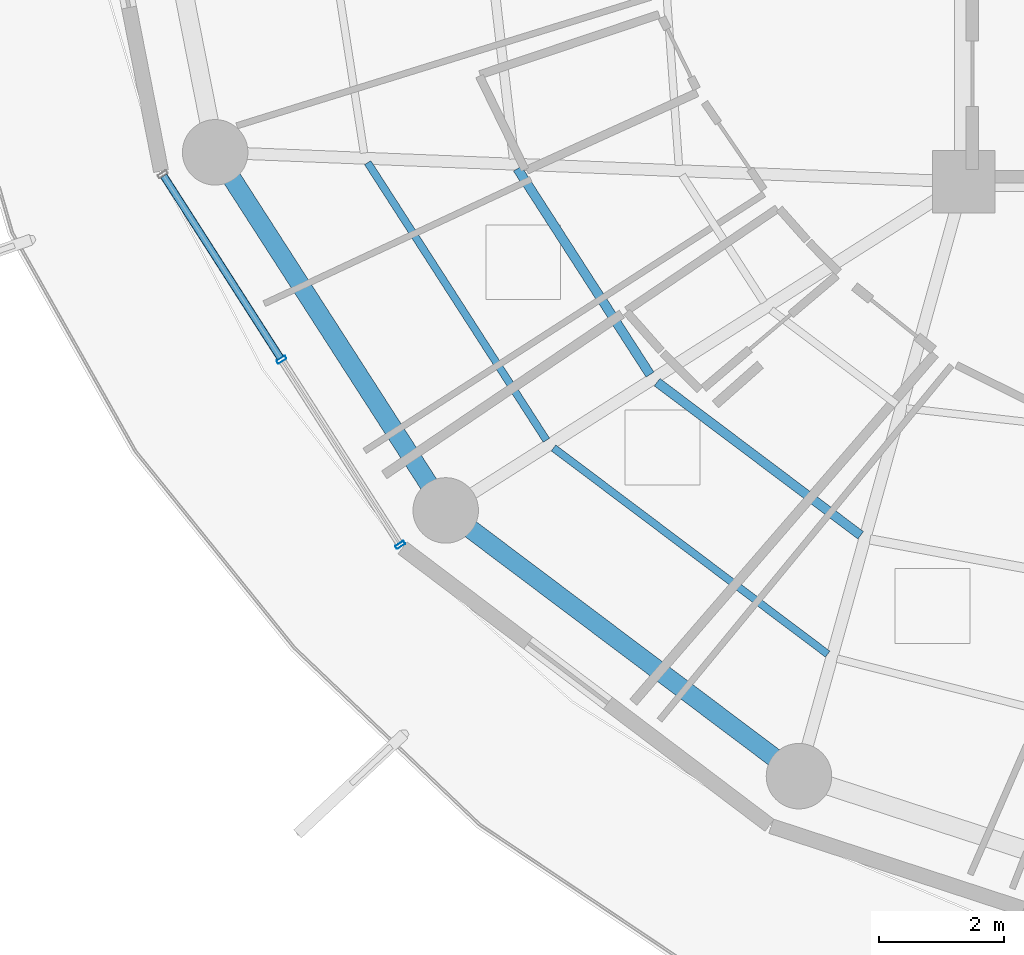
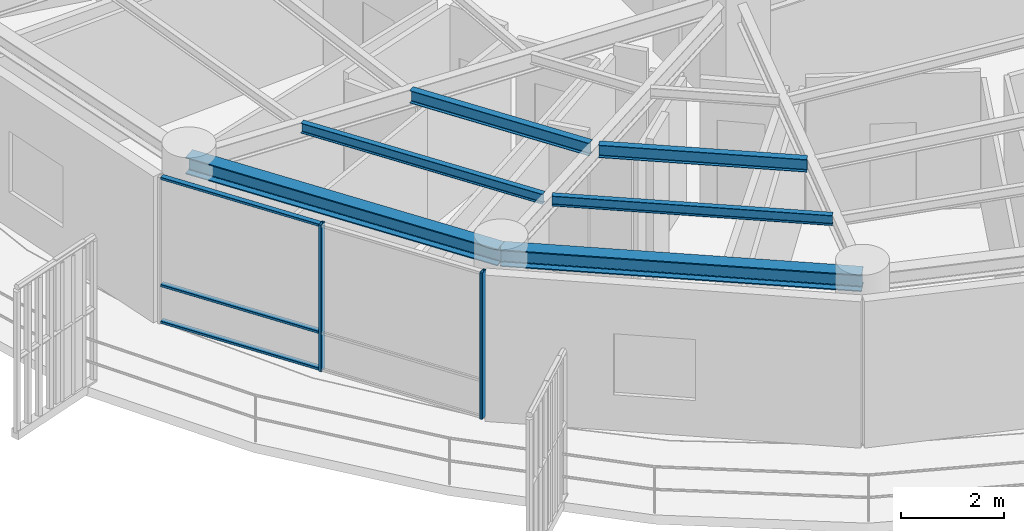
# One storey, part 2 of 30: 6 beams, 5 members, 1 element without a shape of its own.
"""IFC4 building model written with IfcOpenShell, lengths in metres."""

import ifcopenshell
import ifcopenshell.guid

model = None  # the IFC model being written
_history = None  # IfcOwnerHistory: only IFC2X3 demands one
_inside = {}  # id of a spatial element -> (the spatial element, [elements in it])
_under = {}  # id of a project, library or spatial element -> (it, [spatial elements below it])
_declared = {}  # id of a project -> (the project, [libraries it declares])
_typed = {}  # id of a type object -> (the type object, [elements of that type])
_made_of = {}  # id of a material, layer set ... -> (it, [elements and type objects made of it])


def new_model(schema):
    """Start an empty IFC model of exactly this schema.

    Asked for "IFC4X3", IfcOpenShell would pick the latest addendum, in which some entities
    have other attributes; the version numbers below select the first issue.
    IFC2X3 requires an IfcOwnerHistory on every rooted entity: one is made here for all.
    """
    global model, _history
    if schema == "IFC4X3":
        model = ifcopenshell.file(schema_version=(4, 3, 0, 0))
    else:
        model = ifcopenshell.file(schema=schema)
    _inside.clear()
    _under.clear()
    _declared.clear()
    _typed.clear()
    _made_of.clear()
    _history = None
    if model.schema == "IFC2X3":
        org = make("IfcOrganization", Name="unknown")
        user = make(
            "IfcPersonAndOrganization",
            ThePerson=make("IfcPerson", FamilyName="unknown"),
            TheOrganization=org,
        )
        app = make(
            "IfcApplication",
            ApplicationDeveloper=org,
            Version="unknown",
            ApplicationFullName="unknown",
            ApplicationIdentifier="unknown",
        )
        _history = make(
            "IfcOwnerHistory",
            OwningUser=user,
            OwningApplication=app,
            ChangeAction="ADDED",
            CreationDate=0,
        )
    return model


def make(cls, **values):
    """One entity of the class cls with the attributes given. An attribute that is None is left unset."""
    return model.create_entity(
        cls, **{name: value for name, value in values.items() if value is not None}
    )


def rooted(cls, **values):
    """An entity with a GlobalId (a new one), such as an element, a storey or a relation."""
    return make(cls, GlobalId=ifcopenshell.guid.new(), OwnerHistory=_history, **values)


def si_unit(unit_type, name, prefix=None):
    """IfcSIUnit, for example si_unit("LENGTHUNIT", "METRE", prefix="MILLI")."""
    return make("IfcSIUnit", UnitType=unit_type, Prefix=prefix, Name=name)


def assignment(units):
    """IfcUnitAssignment: the units of a project."""
    return None if units is None else make("IfcUnitAssignment", Units=units)


def point(xyz):
    """IfcCartesianPoint."""
    return None if xyz is None else make("IfcCartesianPoint", Coordinates=xyz)


def direction(xyz):
    """IfcDirection."""
    return None if xyz is None else make("IfcDirection", DirectionRatios=xyz)


def frame(location, z_axis=None, x_axis=None):
    """IfcAxis2Placement3D, a coordinate frame: its origin and axes. An axis left out is left unset."""
    return make(
        "IfcAxis2Placement3D",
        Location=point(location),
        Axis=direction(z_axis),
        RefDirection=direction(x_axis),
    )


def frame_2d(location, x_axis=None):
    """IfcAxis2Placement2D, a coordinate frame in the plane: its origin and x axis."""
    return make(
        "IfcAxis2Placement2D", Location=point(location), RefDirection=direction(x_axis)
    )


def origin():
    """The frame at (0, 0, 0) with its axes left unset."""
    return frame((0.0, 0.0, 0.0))


def origin_2d():
    """The frame at (0, 0) in the plane with its x axis left unset."""
    return frame_2d((0.0, 0.0))


def place(relative_to, where):
    """IfcLocalPlacement: puts the frame where relative to a parent placement (None: the world)."""
    return make(
        "IfcLocalPlacement", PlacementRelTo=relative_to, RelativePlacement=where
    )


def context(
    kind, dimensions, precision=None, world=None, true_north=None, identifier=None
):
    """IfcGeometricRepresentationContext, for example the 3D "Model" context."""
    return make(
        "IfcGeometricRepresentationContext",
        ContextIdentifier=identifier,
        ContextType=kind,
        CoordinateSpaceDimension=dimensions,
        Precision=precision,
        WorldCoordinateSystem=world,
        TrueNorth=true_north,
    )


def subcontext(parent, identifier, kind, view, scale=None):
    """IfcGeometricRepresentationSubContext, for example "Body" below "Model"."""
    return make(
        "IfcGeometricRepresentationSubContext",
        ContextIdentifier=identifier,
        ContextType=kind,
        ParentContext=parent,
        TargetScale=scale,
        TargetView=view,
    )


def project(units=None, contexts=None):
    """IfcProject with its units and contexts."""
    return rooted(
        "IfcProject",
        Name="project",
        RepresentationContexts=contexts,
        UnitsInContext=assignment(units),
    )


def spatial(cls, under=None, at=None, **own):
    """A site, building, storey or space (cls), placed at a placement, below another one or the project."""
    s = rooted(cls, ObjectPlacement=at, **own)
    if under is not None:
        _under.setdefault(under.id(), (under, []))[1].append(s)
    return s


def profile(cls, at=None, kind="AREA", **sizes):
    """A parametric profile (cls). Its sizes go by their IFC names, for example OverallWidth=200.0."""
    return make(cls, ProfileType=kind, Position=at, **sizes)


def hollow_rectangle(**sizes):
    """IfcRectangleHollowProfileDef."""
    return profile("IfcRectangleHollowProfileDef", **sizes)


def i_section(**sizes):
    """IfcIShapeProfileDef."""
    return profile("IfcIShapeProfileDef", **sizes)


def extrude(swept, where, along, depth):
    """IfcExtrudedAreaSolid: the profile swept, set in the frame where, extruded along a direction by depth."""
    return make(
        "IfcExtrudedAreaSolid",
        SweptArea=swept,
        Position=where,
        ExtrudedDirection=direction(along),
        Depth=depth,
    )


def shape(context_of_items, identifier, shape_type, items):
    """IfcShapeRepresentation: the items that make up one representation, for example the "Body"."""
    return make(
        "IfcShapeRepresentation",
        ContextOfItems=context_of_items,
        RepresentationIdentifier=identifier,
        RepresentationType=shape_type,
        Items=items,
    )


def material(Name=None, Category=None):
    """IfcMaterial."""
    return make("IfcMaterial", Name=Name, Category=Category)


def layer(
    of_material, thickness, ventilated=None, Name=None, Category=None, Priority=None
):
    """IfcMaterialLayer: one layer of a wall or slab, of a material (None: an air gap)."""
    return make(
        "IfcMaterialLayer",
        Material=of_material,
        LayerThickness=thickness,
        IsVentilated=ventilated,
        Name=Name,
        Category=Category,
        Priority=Priority,
    )


def layer_set(layers, Name=None):
    """IfcMaterialLayerSet."""
    return make("IfcMaterialLayerSet", MaterialLayers=layers, LayerSetName=Name)


def material_profile(
    of_material, cross_section, Name=None, Category=None, Priority=None
):
    """IfcMaterialProfile: a cross section and its material."""
    return make(
        "IfcMaterialProfile",
        Name=Name,
        Material=of_material,
        Profile=cross_section,
        Priority=Priority,
        Category=Category,
    )


def profile_set(profiles, Name=None, composite=None):
    """IfcMaterialProfileSet."""
    return make(
        "IfcMaterialProfileSet",
        Name=Name,
        MaterialProfiles=profiles,
        CompositeProfile=composite,
    )


def made_of(thing, what):
    """Note that an element or type object is made of a material, layer set ...; save() writes the relation."""
    if what is not None:
        _made_of.setdefault(what.id(), (what, []))[1].append(thing)
    return thing


def type_object(cls, material=None, **own):
    """A type object (cls), such as IfcWallType, which elements share."""
    return made_of(rooted(cls, **own), material)


def element(
    cls,
    number,
    at=None,
    inside=None,
    cuts=None,
    type_object=None,
    material=None,
    context=None,
    identifier="Body",
    shape_type=None,
    held_by="IfcProductDefinitionShape",
    body=None,
    shapes=None,
    **own,
):
    """One element of the class cls, such as IfcWall. Its Tag is "e" and its number.

    at: its placement. inside: the storey or other place that contains it. cuts: it is an
    opening in that element (IfcRelVoidsElement). A single representation is given by context,
    identifier, shape_type and body (its items); several are given by shapes. held_by: the class
    of the entity that holds the representations. save() writes the other relations.
    """
    e = rooted(cls, Tag="e%d" % number, ObjectPlacement=at, **own)
    if body is not None:
        shapes = [shape(context, identifier, shape_type, body)]
    if shapes is not None:
        e.Representation = make(held_by, Representations=shapes)
    if inside is not None:
        _inside.setdefault(inside.id(), (inside, []))[1].append(e)
    if cuts is not None:
        rooted(
            "IfcRelVoidsElement", RelatingBuildingElement=cuts, RelatedOpeningElement=e
        )
    if type_object is not None:
        _typed.setdefault(type_object.id(), (type_object, []))[1].append(e)
    return made_of(e, material)


def aggregate(whole, parts):
    """IfcRelAggregates: a whole, such as a stair, and the parts it consists of."""
    return rooted("IfcRelAggregates", RelatingObject=whole, RelatedObjects=parts)


def save(model, path):
    """Write the relations noted so far, then the file.

    IfcRelAggregates (storeys below a building ...), IfcRelContainedInSpatialStructure (elements
    in a storey), IfcRelDefinesByType, IfcRelAssociatesMaterial and IfcRelDeclares: one each for
    every whole, place, type object, material and project.
    """
    for whole, parts in _under.values():
        aggregate(whole, parts)
    for where, things in _inside.values():
        rooted(
            "IfcRelContainedInSpatialStructure",
            RelatedElements=things,
            RelatingStructure=where,
        )
    for kind, things in _typed.values():
        rooted("IfcRelDefinesByType", RelatedObjects=things, RelatingType=kind)
    for what, things in _made_of.values():
        rooted("IfcRelAssociatesMaterial", RelatedObjects=things, RelatingMaterial=what)
    for by, libraries in _declared.values():
        rooted("IfcRelDeclares", RelatingContext=by, RelatedDefinitions=libraries)
    model.write(path)


model = new_model("IFC4")

# Units and contexts
model_context = context("Model", 3, precision=1e-05, world=origin(), true_north=direction((0.0, 1.0)))
body_context = subcontext(model_context, "Body", "Model", "MODEL_VIEW")
ifc_project = project(units=[si_unit("LENGTHUNIT", "METRE"), si_unit("AREAUNIT", "SQUARE_METRE"), si_unit("VOLUMEUNIT", "CUBIC_METRE"), si_unit("PLANEANGLEUNIT", "RADIAN"), si_unit("MASSUNIT", "GRAM", prefix="KILO")], contexts=[model_context])

# Site, building, storey
site_placement = place(None, origin())
site = spatial("IfcSite", under=ifc_project, at=site_placement, CompositionType="ELEMENT")
building_placement = place(site_placement, origin())
building = spatial("IfcBuilding", under=site, at=building_placement, Name="Kelanora Arch Commons", CompositionType="ELEMENT")
storey_placement = place(building_placement, frame((0.0, 0.0, 234.449951171875)))
storey = spatial("IfcBuildingStorey", under=building, at=storey_placement, Name="L60", CompositionType="ELEMENT", Elevation=234.449951171875)

# Beams
ifc_material_1 = material(Name="Steel S355", Category="steel")
ifc_material_profile_1 = material_profile(ifc_material_1, i_section(OverallWidth=0.14990234375, OverallDepth=0.300048828125, WebThickness=0.007080078125, FlangeThickness=0.0107421875, FilletRadius=0.014892578125, at=origin_2d()), Name="IPE300")
ifc_profile_set_1 = profile_set([ifc_material_profile_1], Name="Steel S355")
beam_type_1 = type_object("IfcBeamType", Name="BM-JST-01", PredefinedType="JOIST", material=ifc_profile_set_1)
beam_1_placement = place(storey_placement, frame((58.847900390625, 51.213134765625, 3.340087890625), z_axis=(0.541411265892, -0.840757896879, 0.0), x_axis=(0.840757896879, 0.541411265892, 0.0)))
element("IfcBeam", 1, at=beam_1_placement, inside=storey, type_object=beam_type_1, Name="Secondary Chord Joist BJB-20 L60", PredefinedType="JOIST", context=body_context, shape_type="SweptSolid", body=[
    extrude(i_section(OverallWidth=0.14990234375, OverallDepth=0.300048828125, WebThickness=0.007080078125, FlangeThickness=0.0107421875, FilletRadius=0.014892578125, at=origin_2d()), origin(), (0.0, 0.0, 1.0), 3.92529296875),
])
beam_2_placement = place(storey_placement, frame((61.087158203125, 47.790283203125, 3.340087890625), z_axis=(0.799101708656, -0.601195857624, 0.0), x_axis=(0.601195857624, 0.799101708656, 0.0)))
element("IfcBeam", 2, at=beam_2_placement, inside=storey, type_object=beam_type_1, Name="Secondary Chord Joist BJB-22 L60", PredefinedType="JOIST", context=body_context, shape_type="SweptSolid", body=[
    extrude(i_section(OverallWidth=0.14990234375, OverallDepth=0.300048828125, WebThickness=0.007080078125, FlangeThickness=0.0107421875, FilletRadius=0.014892578125, at=origin_2d()), origin(), (0.0, 0.0, 1.0), 4.080810546875),
])
ifc_material_profile_2 = material_profile(ifc_material_1, i_section(OverallWidth=0.1201171875, OverallDepth=0.239990234375, WebThickness=0.006103515625, FlangeThickness=0.009765625, FilletRadius=0.014892578125, at=origin_2d()), Name="IPE240")
ifc_profile_set_2 = profile_set([ifc_material_profile_2], Name="Steel S355")
beam_type_2 = type_object("IfcBeamType", Name="BM-JST-02", PredefinedType="JOIST", material=ifc_profile_set_2)
beam_3_placement = place(storey_placement, frame((56.44873046875, 51.30810546875, 3.3701171875), z_axis=(0.541382492679, -0.840776424872, 0.0), x_axis=(0.840776424872, 0.541382492679, 0.0)))
element("IfcBeam", 3, at=beam_3_placement, inside=storey, type_object=beam_type_2, Name="Secondary Chord Joist BJC-20 L60", PredefinedType="JOIST", context=body_context, shape_type="SweptSolid", body=[
    extrude(i_section(OverallWidth=0.1201171875, OverallDepth=0.239990234375, WebThickness=0.006103515625, FlangeThickness=0.009765625, FilletRadius=0.014892578125, at=origin_2d()), origin(), (0.0, 0.0, 1.0), 5.29052734375),
])
beam_4_placement = place(storey_placement, frame((59.4267578125, 46.7373046875, 3.3701171875), z_axis=(0.799109197935, -0.601185902842, 0.0), x_axis=(0.601185902842, 0.799109197935, 0.0)))
element("IfcBeam", 4, at=beam_4_placement, inside=storey, type_object=beam_type_2, Name="Secondary Chord Joist BJC-22 L60", PredefinedType="JOIST", context=body_context, shape_type="SweptSolid", body=[
    extrude(i_section(OverallWidth=0.1201171875, OverallDepth=0.239990234375, WebThickness=0.006103515625, FlangeThickness=0.009765625, FilletRadius=0.014892578125, at=origin_2d()), origin(), (0.0, 0.0, 1.0), 5.497802734375),
])
ifc_material_profile_3 = material_profile(ifc_material_1, i_section(OverallWidth=0.300048828125, OverallDepth=0.39990234375, WebThickness=0.013427734375, FlangeThickness=0.02392578125, FilletRadius=0.027099609375, at=origin_2d()), Name="HEB400")
ifc_profile_set_3 = profile_set([ifc_material_profile_3], Name="Steel S355")
beam_type_3 = type_object("IfcBeamType", Name="BM-SPN-Z4", PredefinedType="SPANDREL", material=ifc_profile_set_3)
beam_5_placement = place(storey_placement, frame((54.00341796875, 51.474365234375, 3.2900390625), z_axis=(0.541364878868, -0.840787766281, 0.0), x_axis=(0.840787766281, 0.541364878868, 0.0)))
element("IfcBeam", 5, at=beam_5_placement, inside=storey, type_object=beam_type_3, Name="Perimeter Spandrel Beam BS-20 L60", PredefinedType="SPANDREL", context=body_context, shape_type="SweptSolid", body=[
    extrude(i_section(OverallWidth=0.300048828125, OverallDepth=0.39990234375, WebThickness=0.013427734375, FlangeThickness=0.02392578125, FilletRadius=0.027099609375, at=origin_2d()), origin(), (0.0, 0.0, 1.0), 6.825439453125),
])
beam_6_placement = place(storey_placement, frame((57.698486328125, 45.735595703125, 3.2900390625), z_axis=(0.799114211715, -0.60117923836, 0.0), x_axis=(0.60117923836, 0.799114211715, 0.0)))
element("IfcBeam", 6, at=beam_6_placement, inside=storey, type_object=beam_type_3, Name="Perimeter Spandrel Beam BS-22 L60", PredefinedType="SPANDREL", context=body_context, shape_type="SweptSolid", body=[
    extrude(i_section(OverallWidth=0.300048828125, OverallDepth=0.39990234375, WebThickness=0.013427734375, FlangeThickness=0.02392578125, FilletRadius=0.027099609375, at=origin_2d()), origin(), (0.0, 0.0, 1.0), 7.0849609375),
])

# Curtain wall, members
ifc_material_2 = material(Name="Terracotta ceramic-fritted low-E glass and aluminium", Category="masonry")
ifc_layer = layer(ifc_material_2, 0.175048828125)
ifc_layer_set = layer_set([ifc_layer], Name="Terracotta ceramic-fritted low-E glass and aluminium")
curtain_wall_type = type_object("IfcCurtainWallType", Name="CW-SYS-02", PredefinedType="NOTDEFINED", material=ifc_layer_set)
curtain_wall_placement = place(storey_placement, origin())
curtain_wall = element("IfcCurtainWall", 7, at=curtain_wall_placement, inside=storey, type_object=curtain_wall_type, Name="Unitised Curtain Wall L60-B10", PredefinedType="NOTDEFINED")
ifc_material_3 = material(Name="Powder-coated aluminium terracotta", Category="masonry")
ifc_material_profile_4 = material_profile(ifc_material_3, hollow_rectangle(XDim=0.159912109375, YDim=0.06005859375, WallThickness=0.0048828125, InnerFilletRadius=0.0048828125, OuterFilletRadius=0.010009765625, at=origin_2d()), Name="CWM160x60")
ifc_profile_set_4 = profile_set([ifc_material_profile_4], Name="Powder-coated aluminium terracotta")
member_type_1 = type_object("IfcMemberType", Name="CWM-STD", PredefinedType="MULLION", material=ifc_profile_set_4)
member_1_placement = place(storey_placement, frame((55.06640625, 48.15185546875, 0.0), z_axis=(0.0, 0.0, 1.0), x_axis=(0.84194757539, 0.539559338994, 0.0)))
member_1 = element("IfcMember", 8, at=member_1_placement, type_object=member_type_1, Name="CW-02 mullion 2", PredefinedType="MULLION", context=body_context, shape_type="SweptSolid", body=[
    extrude(hollow_rectangle(XDim=0.159912109375, YDim=0.06005859375, WallThickness=0.0048828125, InnerFilletRadius=0.0048828125, OuterFilletRadius=0.010009765625, at=origin_2d()), origin(), (0.0, 0.0, 1.0), 3.47509765625),
])
member_2_placement = place(storey_placement, frame((56.969482421875, 45.18212890625, 0.0), z_axis=(0.0, 0.0, 1.0), x_axis=(0.84194757539, 0.539559338994, 0.0)))
member_2 = element("IfcMember", 9, at=member_2_placement, type_object=member_type_1, Name="CW-02 mullion 3", PredefinedType="MULLION", context=body_context, shape_type="SweptSolid", body=[
    extrude(hollow_rectangle(XDim=0.159912109375, YDim=0.06005859375, WallThickness=0.0048828125, InnerFilletRadius=0.0048828125, OuterFilletRadius=0.010009765625, at=origin_2d()), origin(), (0.0, 0.0, 1.0), 3.47509765625),
])
ifc_material_profile_5 = material_profile(ifc_material_3, hollow_rectangle(XDim=0.1201171875, YDim=0.06005859375, WallThickness=0.0048828125, InnerFilletRadius=0.0048828125, OuterFilletRadius=0.010009765625, at=origin_2d()), Name="CWT120x60")
ifc_profile_set_5 = profile_set([ifc_material_profile_5], Name="Powder-coated aluminium terracotta")
member_type_2 = type_object("IfcMemberType", Name="CWT-STD", PredefinedType="USERDEFINED", material=ifc_profile_set_5)
member_3_placement = place(storey_placement, frame((53.17919921875, 51.096435546875, 0.030029296875), z_axis=(0.539579095642, -0.84193491408, 0.0), x_axis=(0.84193491408, 0.539579095642, 0.0)))
member_3 = element("IfcMember", 10, at=member_3_placement, type_object=member_type_2, Name="CW-02 transom 1.1", ObjectType="TRANSOM", PredefinedType="USERDEFINED", context=body_context, shape_type="SweptSolid", body=[
    extrude(hollow_rectangle(XDim=0.1201171875, YDim=0.06005859375, WallThickness=0.0048828125, InnerFilletRadius=0.0048828125, OuterFilletRadius=0.010009765625, at=origin_2d()), origin(), (0.0, 0.0, 1.0), 3.46728515625),
])
member_4_placement = place(storey_placement, frame((53.17919921875, 51.096435546875, 0.900146484375), z_axis=(0.539579095642, -0.84193491408, 0.0), x_axis=(0.84193491408, 0.539579095642, 0.0)))
member_4 = element("IfcMember", 11, at=member_4_placement, type_object=member_type_2, Name="CW-02 transom 1.2", ObjectType="TRANSOM", PredefinedType="USERDEFINED", context=body_context, shape_type="SweptSolid", body=[
    extrude(hollow_rectangle(XDim=0.1201171875, YDim=0.06005859375, WallThickness=0.0048828125, InnerFilletRadius=0.0048828125, OuterFilletRadius=0.010009765625, at=origin_2d()), origin(), (0.0, 0.0, 1.0), 3.46728515625),
])
member_5_placement = place(storey_placement, frame((53.17919921875, 51.096435546875, 3.445068359375), z_axis=(0.539579095642, -0.84193491408, 0.0), x_axis=(0.84193491408, 0.539579095642, 0.0)))
member_5 = element("IfcMember", 12, at=member_5_placement, type_object=member_type_2, Name="CW-02 transom 1.3", ObjectType="TRANSOM", PredefinedType="USERDEFINED", context=body_context, shape_type="SweptSolid", body=[
    extrude(hollow_rectangle(XDim=0.1201171875, YDim=0.06005859375, WallThickness=0.0048828125, InnerFilletRadius=0.0048828125, OuterFilletRadius=0.010009765625, at=origin_2d()), origin(), (0.0, 0.0, 1.0), 3.46728515625),
])
aggregate(curtain_wall, [member_1, member_2, member_3, member_4, member_5])

save(model, "model.ifc")
